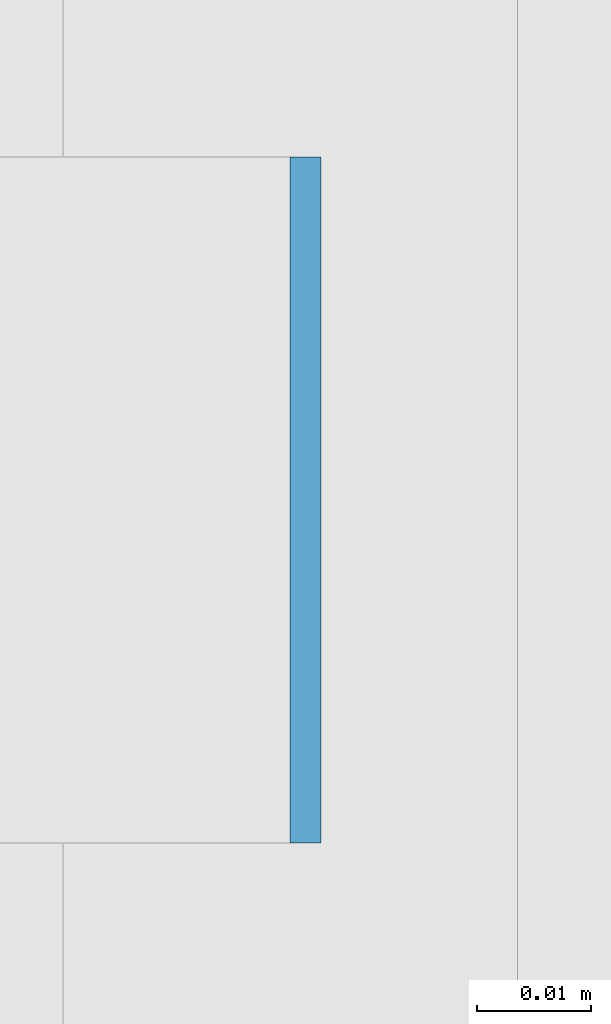
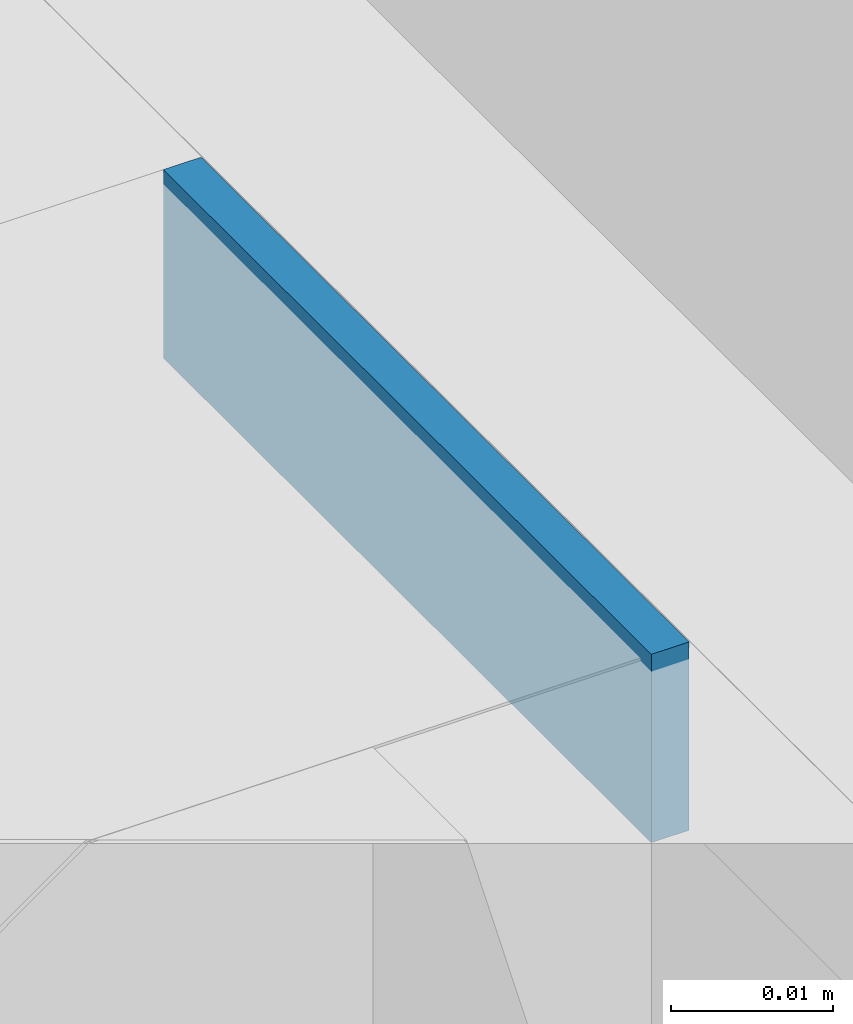
# One storey, part 249 of 646: 1 discrete accessory.
"""IFC4 building model written with IfcOpenShell, lengths in metres."""

from ifc_helpers import new_model, si_unit, direction, frame, origin, origin_2d, place, context, subcontext, project, spatial, rectangle, extrude, material, type_object, element, save


model = new_model("IFC4")

# Units and contexts
model_context = context("Model", 3, precision=1e-05, world=origin(), true_north=direction((0.0, 1.0)))
body_context = subcontext(model_context, "Body", "Model", "MODEL_VIEW")
ifc_project = project(units=[si_unit("LENGTHUNIT", "METRE"), si_unit("AREAUNIT", "SQUARE_METRE"), si_unit("VOLUMEUNIT", "CUBIC_METRE"), si_unit("PLANEANGLEUNIT", "RADIAN"), si_unit("MASSUNIT", "GRAM", prefix="KILO")], contexts=[model_context])

# Site, building, storey
site_placement = place(None, origin())
site = spatial("IfcSite", under=ifc_project, at=site_placement, CompositionType="ELEMENT")
building_placement = place(site_placement, origin())
building = spatial("IfcBuilding", under=site, at=building_placement, Name="Silverbay Arena", CompositionType="ELEMENT")
storey_placement = place(building_placement, frame((0.0, 0.0, 33.5)))
storey = spatial("IfcBuildingStorey", under=building, at=storey_placement, Name="L05", CompositionType="ELEMENT", Elevation=33.5)

# Discrete accessory
ifc_material = material(Name="Steel S355", Category="steel")
discrete_accessory_type = type_object("IfcDiscreteAccessoryType", Name="Steel bracket plate", PredefinedType="BRACKET", material=ifc_material)
discrete_accessory_placement = place(storey_placement, frame((53.871337890625, 34.566650390625, 12.98583984375), z_axis=(0.0, 0.0, 1.0), x_axis=(1.0, 0.0, 0.0)))
element("IfcDiscreteAccessory", 1, at=discrete_accessory_placement, inside=storey, type_object=discrete_accessory_type, Name="Curtain wall packing plate", PredefinedType="BRACKET", context=body_context, shape_type="SweptSolid", body=[
    extrude(rectangle(XDim=0.002685546875, YDim=0.06005859375, at=origin_2d()), origin(), (0.0, 0.0, 1.0), 0.01416015625),
])

save(model, "model.ifc")
